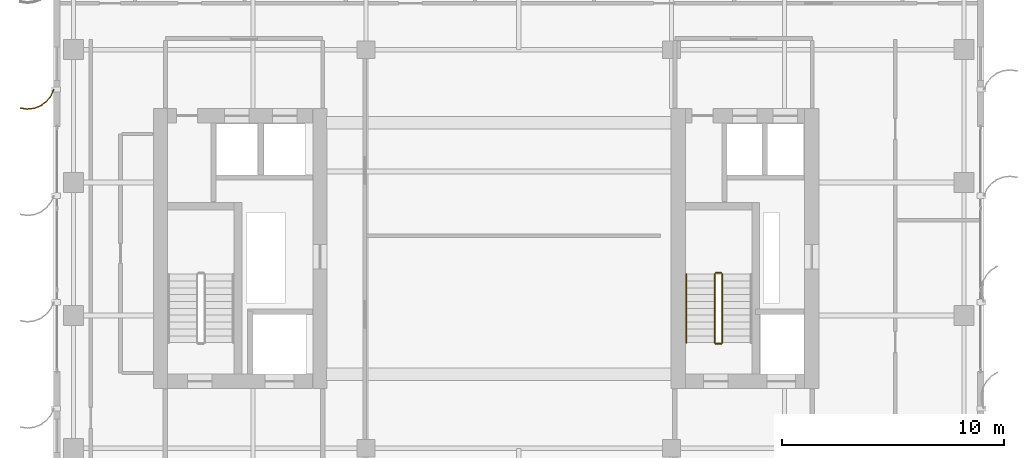
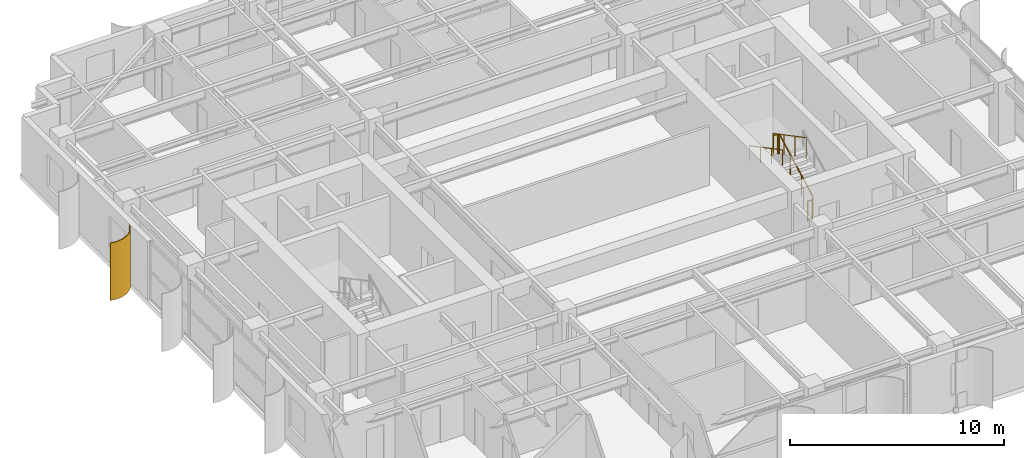
# One storey, part 21 of 22: 5 railings, 1 shading device.
"""IFC4 building model written with IfcOpenShell, lengths in metres."""

from ifc_helpers import new_model, si_unit, direction, frame, origin, origin_2d, place, context, subcontext, project, spatial, polyline, circle, outline, extrude, source, transform, mapped, material, layer, layer_set, type_object, element, save


model = new_model("IFC4")

# Units and contexts
model_context = context("Model", 3, precision=1e-05, world=origin(), true_north=direction((0.0, 1.0)))
body_context = subcontext(model_context, "Body", "Model", "MODEL_VIEW")
ifc_project = project(units=[si_unit("LENGTHUNIT", "METRE"), si_unit("AREAUNIT", "SQUARE_METRE"), si_unit("VOLUMEUNIT", "CUBIC_METRE"), si_unit("PLANEANGLEUNIT", "RADIAN"), si_unit("MASSUNIT", "GRAM", prefix="KILO")], contexts=[model_context])

# Site, building, storey
site_placement = place(None, origin())
site = spatial("IfcSite", under=ifc_project, at=site_placement, CompositionType="ELEMENT")
building_placement = place(site_placement, origin())
building = spatial("IfcBuilding", under=site, at=building_placement, Name="Khoralis Quay Care Tower", CompositionType="ELEMENT")
storey_placement = place(building_placement, frame((0.0, 0.0, 170.10009765625)))
storey = spatial("IfcBuildingStorey", under=building, at=storey_placement, Name="L44", CompositionType="ELEMENT", Elevation=170.10009765625)

# Railings
ifc_material_1 = material(Name="Brushed stainless steel", Category="steel")
railing_type_1 = type_object("IfcRailingType", Name="RL-GUARD-1150", PredefinedType="GUARDRAIL", material=ifc_material_1)
railing_1_placement = place(storey_placement, frame((33.18994140625, 16.77001953125, 0.16357421875)))
element("IfcRailing", 1, at=railing_1_placement, inside=storey, type_object=railing_type_1, Name="L44 ST-T2 stair guard 1", PredefinedType="GUARDRAIL", context=body_context, shape_type="SweptSolid", body=[
    extrude(circle(Radius=0.02392578125, at=origin_2d()), frame((0.0, 0.0, 1.1259765625), z_axis=(0.0, 0.884376766648, 0.46677375099), x_axis=(-1.0, 0.0, 0.0)), (0.0, 0.0, 1.0), 3.50537109375),
    extrude(circle(Radius=0.02099609375, at=origin_2d()), origin(), (0.0, 0.0, 1.0), 1.101806640625),
    extrude(circle(Radius=0.02099609375, at=origin_2d()), frame((0.0, 1.033447265625, 0.54541015625)), (0.0, 0.0, 1.0), 1.101806640625),
    extrude(circle(Radius=0.02099609375, at=origin_2d()), frame((0.0, 2.066650390625, 1.0908203125)), (0.0, 0.0, 1.0), 1.101806640625),
    extrude(circle(Radius=0.02099609375, at=origin_2d()), frame((0.0, 3.10009765625, 1.63623046875)), (0.0, 0.0, 1.0), 1.101806640625),
])
railing_2_placement = place(storey_placement, frame((33.139892578125, 19.919921875, 1.7998046875)))
element("IfcRailing", 2, at=railing_2_placement, inside=storey, type_object=railing_type_1, Name="L44 ST-T2 stair guard 2", PredefinedType="GUARDRAIL", context=body_context, shape_type="SweptSolid", body=[
    extrude(circle(Radius=0.02392578125, at=origin_2d()), frame((0.0, 0.0, 1.1259765625), z_axis=(-1.0, 0.0, 0.0), x_axis=(0.0, -1.0, 0.0)), (0.0, 0.0, 1.0), 0.239990234375),
    extrude(circle(Radius=0.02099609375, at=origin_2d()), origin(), (0.0, 0.0, 1.0), 1.101806640625),
    extrude(circle(Radius=0.02099609375, at=origin_2d()), frame((-0.239990234375, 0.0, 0.0)), (0.0, 0.0, 1.0), 1.101806640625),
])
railing_3_placement = place(storey_placement, frame((32.85009765625, 19.8701171875, 1.963623046875)))
element("IfcRailing", 3, at=railing_3_placement, inside=storey, type_object=railing_type_1, Name="L44 ST-T2 stair guard 3", PredefinedType="GUARDRAIL", context=body_context, shape_type="SweptSolid", body=[
    extrude(circle(Radius=0.02392578125, at=origin_2d()), frame((0.0, 0.0, 1.1259765625), z_axis=(0.0, -0.884376766648, 0.46677375099), x_axis=(1.0, 0.0, 0.0)), (0.0, 0.0, 1.0), 3.50537109375),
    extrude(circle(Radius=0.02099609375, at=origin_2d()), origin(), (0.0, 0.0, 1.0), 1.101806640625),
    extrude(circle(Radius=0.02099609375, at=origin_2d()), frame((0.0, -1.033447265625, 0.54541015625)), (0.0, 0.0, 1.0), 1.101806640625),
    extrude(circle(Radius=0.02099609375, at=origin_2d()), frame((0.0, -2.066650390625, 1.0908203125)), (0.0, 0.0, 1.0), 1.101806640625),
    extrude(circle(Radius=0.02099609375, at=origin_2d()), frame((0.0, -3.10009765625, 1.63623046875)), (0.0, 0.0, 1.0), 1.101806640625),
])
railing_4_placement = place(storey_placement, frame((33.139892578125, 16.719970703125, 0.0)))
element("IfcRailing", 4, at=railing_4_placement, inside=storey, type_object=railing_type_1, Name="L44 ST-T2 stair guard 4", PredefinedType="GUARDRAIL", context=body_context, shape_type="SweptSolid", body=[
    extrude(circle(Radius=0.02392578125, at=origin_2d()), frame((0.0, 0.0, 1.1259765625), z_axis=(-1.0, 0.0, 0.0), x_axis=(0.0, -1.0, 0.0)), (0.0, 0.0, 1.0), 0.239990234375),
    extrude(circle(Radius=0.02099609375, at=origin_2d()), origin(), (0.0, 0.0, 1.0), 1.101806640625),
    extrude(circle(Radius=0.02099609375, at=origin_2d()), frame((-0.239990234375, 0.0, 0.0)), (0.0, 0.0, 1.0), 1.101806640625),
])
railing_type_2 = type_object("IfcRailingType", Name="RL-HAND-900", PredefinedType="HANDRAIL", material=ifc_material_1)
railing_5_placement = place(storey_placement, frame((31.570068359375, 19.8701171875, 1.963623046875)))
element("IfcRailing", 5, at=railing_5_placement, inside=storey, type_object=railing_type_2, Name="L44 ST-T2 stair handrail 2", PredefinedType="HANDRAIL", context=body_context, shape_type="SweptSolid", body=[
    extrude(circle(Radius=0.02392578125, at=origin_2d()), frame((0.0, 0.0, 0.8759765625), z_axis=(0.0, -0.884376766648, 0.46677375099), x_axis=(1.0, 0.0, 0.0)), (0.0, 0.0, 1.0), 3.50537109375),
    extrude(circle(Radius=0.02099609375, at=origin_2d()), origin(), (0.0, 0.0, 1.0), 0.851806640625),
    extrude(circle(Radius=0.02099609375, at=origin_2d()), frame((0.0, -1.033447265625, 0.54541015625)), (0.0, 0.0, 1.0), 0.851806640625),
    extrude(circle(Radius=0.02099609375, at=origin_2d()), frame((0.0, -2.066650390625, 1.0908203125)), (0.0, 0.0, 1.0), 0.851806640625),
    extrude(circle(Radius=0.02099609375, at=origin_2d()), frame((0.0, -3.10009765625, 1.63623046875)), (0.0, 0.0, 1.0), 0.851806640625),
])

# Shading device
ifc_material_2 = material(Name="Brushed pale anodised aluminium", Category="aluminium")
ifc_layer = layer(ifc_material_2, 0.044921875)
ifc_layer_set = layer_set([ifc_layer], Name="Brushed pale anodised aluminium")
shading_device_type = type_object("IfcShadingDeviceType", Name="SHD-FIN-1250", PredefinedType="USERDEFINED", material=ifc_layer_set)
shared_shape = source(origin(), body_context, "Body", "SweptSolid", [
    extrude(outline(polyline([(0.0, 0.0), (0.130126953125, 0.29931640625), (0.333251953125, 0.5546875), (0.595458984375, 0.748779296875), (0.899169921875, 0.868408203125), (1.223388671875, 0.9052734375), (1.546142578125, 0.85693359375), (1.53369140625, 0.813720703125), (1.22265625, 0.8603515625), (0.91015625, 0.82470703125), (0.617431640625, 0.70947265625), (0.364501953125, 0.522216796875), (0.168701171875, 0.276123046875), (0.043212890625, -0.012451171875), (0.0, 0.0)])), origin(), (0.0, 0.0, 1.0), 3.27978515625),
])
shading_device_placement = place(storey_placement, frame((3.030029296875, 28.199951171875, 0.02001953125), z_axis=(0.0, 0.0, 1.0), x_axis=(-1.0, 0.0, 0.0)))
element("IfcShadingDevice", 6, at=shading_device_placement, inside=storey, type_object=shading_device_type, Name="L44 Curved Solar Fin P1E15-02", ObjectType="FIN", PredefinedType="USERDEFINED", context=body_context, shape_type="MappedRepresentation", body=[
    mapped(shared_shape, transform((0.0, 0.0, 0.0), scale=1.0)),
])

save(model, "model.ifc")
